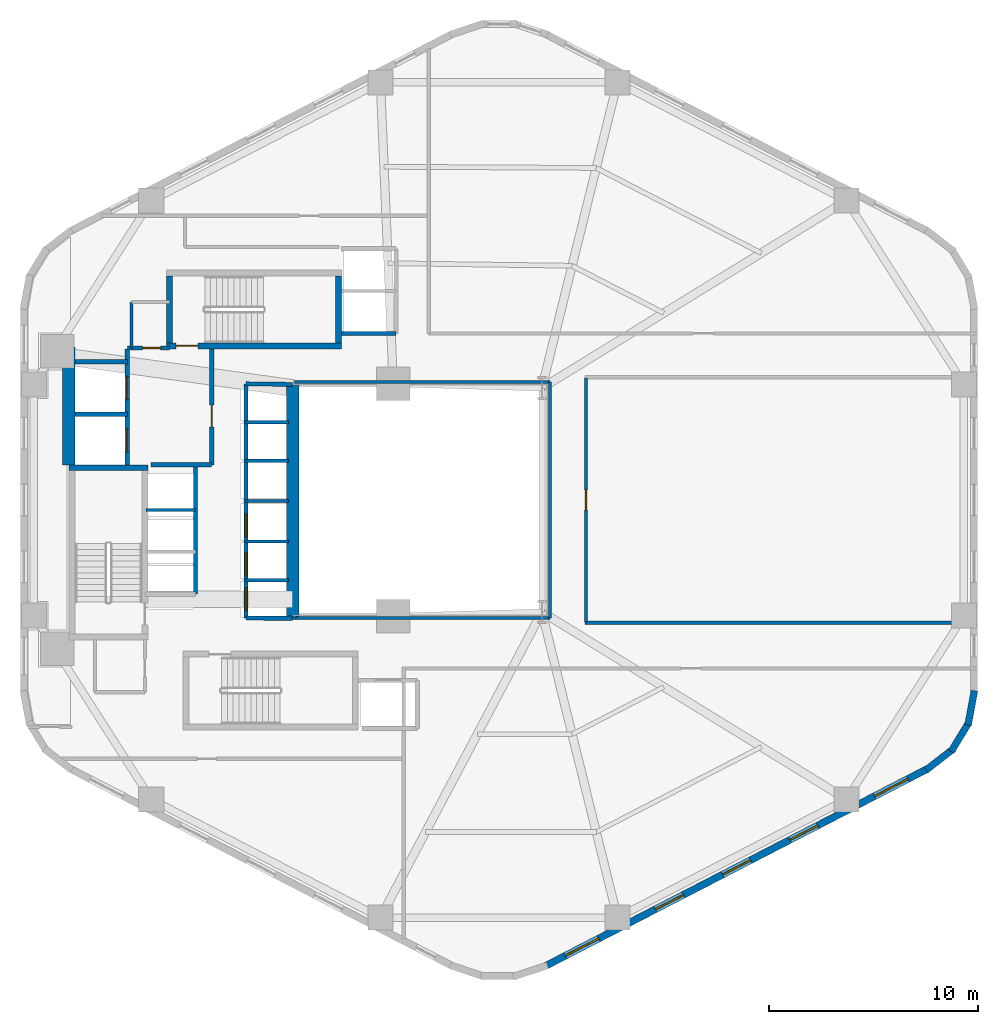
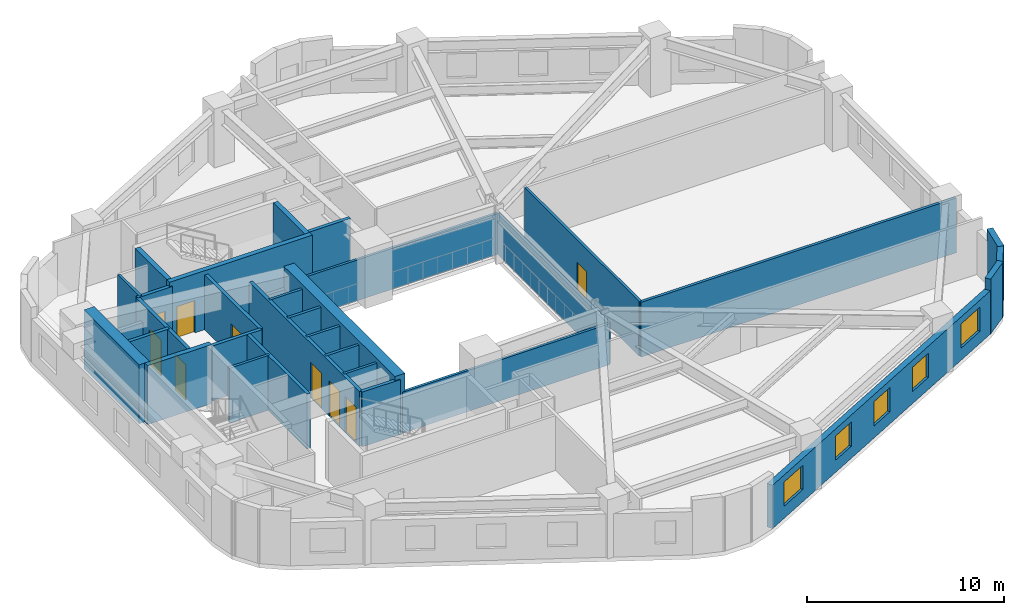
# One storey, part 3 of 6: 33 walls, 9 doors, 5 windows, 14 openings.
"""IFC4 building model written with IfcOpenShell, lengths in metres."""

import ifcopenshell
import ifcopenshell.guid

model = None  # the IFC model being written
_history = None  # IfcOwnerHistory: only IFC2X3 demands one
_inside = {}  # id of a spatial element -> (the spatial element, [elements in it])
_under = {}  # id of a project, library or spatial element -> (it, [spatial elements below it])
_declared = {}  # id of a project -> (the project, [libraries it declares])
_typed = {}  # id of a type object -> (the type object, [elements of that type])
_made_of = {}  # id of a material, layer set ... -> (it, [elements and type objects made of it])


def new_model(schema):
    """Start an empty IFC model of exactly this schema.

    Asked for "IFC4X3", IfcOpenShell would pick the latest addendum, in which some entities
    have other attributes; the version numbers below select the first issue.
    IFC2X3 requires an IfcOwnerHistory on every rooted entity: one is made here for all.
    """
    global model, _history
    if schema == "IFC4X3":
        model = ifcopenshell.file(schema_version=(4, 3, 0, 0))
    else:
        model = ifcopenshell.file(schema=schema)
    _inside.clear()
    _under.clear()
    _declared.clear()
    _typed.clear()
    _made_of.clear()
    _history = None
    if model.schema == "IFC2X3":
        org = make("IfcOrganization", Name="unknown")
        user = make(
            "IfcPersonAndOrganization",
            ThePerson=make("IfcPerson", FamilyName="unknown"),
            TheOrganization=org,
        )
        app = make(
            "IfcApplication",
            ApplicationDeveloper=org,
            Version="unknown",
            ApplicationFullName="unknown",
            ApplicationIdentifier="unknown",
        )
        _history = make(
            "IfcOwnerHistory",
            OwningUser=user,
            OwningApplication=app,
            ChangeAction="ADDED",
            CreationDate=0,
        )
    return model


def make(cls, **values):
    """One entity of the class cls with the attributes given. An attribute that is None is left unset."""
    return model.create_entity(
        cls, **{name: value for name, value in values.items() if value is not None}
    )


def rooted(cls, **values):
    """An entity with a GlobalId (a new one), such as an element, a storey or a relation."""
    return make(cls, GlobalId=ifcopenshell.guid.new(), OwnerHistory=_history, **values)


def si_unit(unit_type, name, prefix=None):
    """IfcSIUnit, for example si_unit("LENGTHUNIT", "METRE", prefix="MILLI")."""
    return make("IfcSIUnit", UnitType=unit_type, Prefix=prefix, Name=name)


def assignment(units):
    """IfcUnitAssignment: the units of a project."""
    return None if units is None else make("IfcUnitAssignment", Units=units)


def point(xyz):
    """IfcCartesianPoint."""
    return None if xyz is None else make("IfcCartesianPoint", Coordinates=xyz)


def direction(xyz):
    """IfcDirection."""
    return None if xyz is None else make("IfcDirection", DirectionRatios=xyz)


def frame(location, z_axis=None, x_axis=None):
    """IfcAxis2Placement3D, a coordinate frame: its origin and axes. An axis left out is left unset."""
    return make(
        "IfcAxis2Placement3D",
        Location=point(location),
        Axis=direction(z_axis),
        RefDirection=direction(x_axis),
    )


def frame_2d(location, x_axis=None):
    """IfcAxis2Placement2D, a coordinate frame in the plane: its origin and x axis."""
    return make(
        "IfcAxis2Placement2D", Location=point(location), RefDirection=direction(x_axis)
    )


def origin():
    """The frame at (0, 0, 0) with its axes left unset."""
    return frame((0.0, 0.0, 0.0))


def place(relative_to, where):
    """IfcLocalPlacement: puts the frame where relative to a parent placement (None: the world)."""
    return make(
        "IfcLocalPlacement", PlacementRelTo=relative_to, RelativePlacement=where
    )


def context(
    kind, dimensions, precision=None, world=None, true_north=None, identifier=None
):
    """IfcGeometricRepresentationContext, for example the 3D "Model" context."""
    return make(
        "IfcGeometricRepresentationContext",
        ContextIdentifier=identifier,
        ContextType=kind,
        CoordinateSpaceDimension=dimensions,
        Precision=precision,
        WorldCoordinateSystem=world,
        TrueNorth=true_north,
    )


def subcontext(parent, identifier, kind, view, scale=None):
    """IfcGeometricRepresentationSubContext, for example "Body" below "Model"."""
    return make(
        "IfcGeometricRepresentationSubContext",
        ContextIdentifier=identifier,
        ContextType=kind,
        ParentContext=parent,
        TargetScale=scale,
        TargetView=view,
    )


def project(units=None, contexts=None):
    """IfcProject with its units and contexts."""
    return rooted(
        "IfcProject",
        Name="project",
        RepresentationContexts=contexts,
        UnitsInContext=assignment(units),
    )


def spatial(cls, under=None, at=None, **own):
    """A site, building, storey or space (cls), placed at a placement, below another one or the project."""
    s = rooted(cls, ObjectPlacement=at, **own)
    if under is not None:
        _under.setdefault(under.id(), (under, []))[1].append(s)
    return s


def profile(cls, at=None, kind="AREA", **sizes):
    """A parametric profile (cls). Its sizes go by their IFC names, for example OverallWidth=200.0."""
    return make(cls, ProfileType=kind, Position=at, **sizes)


def rectangle(**sizes):
    """IfcRectangleProfileDef."""
    return profile("IfcRectangleProfileDef", **sizes)


def extrude(swept, where, along, depth):
    """IfcExtrudedAreaSolid: the profile swept, set in the frame where, extruded along a direction by depth."""
    return make(
        "IfcExtrudedAreaSolid",
        SweptArea=swept,
        Position=where,
        ExtrudedDirection=direction(along),
        Depth=depth,
    )


def shape(context_of_items, identifier, shape_type, items):
    """IfcShapeRepresentation: the items that make up one representation, for example the "Body"."""
    return make(
        "IfcShapeRepresentation",
        ContextOfItems=context_of_items,
        RepresentationIdentifier=identifier,
        RepresentationType=shape_type,
        Items=items,
    )


def material(Name=None, Category=None):
    """IfcMaterial."""
    return make("IfcMaterial", Name=Name, Category=Category)


def layer(
    of_material, thickness, ventilated=None, Name=None, Category=None, Priority=None
):
    """IfcMaterialLayer: one layer of a wall or slab, of a material (None: an air gap)."""
    return make(
        "IfcMaterialLayer",
        Material=of_material,
        LayerThickness=thickness,
        IsVentilated=ventilated,
        Name=Name,
        Category=Category,
        Priority=Priority,
    )


def layer_set(layers, Name=None):
    """IfcMaterialLayerSet."""
    return make("IfcMaterialLayerSet", MaterialLayers=layers, LayerSetName=Name)


def made_of(thing, what):
    """Note that an element or type object is made of a material, layer set ...; save() writes the relation."""
    if what is not None:
        _made_of.setdefault(what.id(), (what, []))[1].append(thing)
    return thing


def type_object(cls, material=None, **own):
    """A type object (cls), such as IfcWallType, which elements share."""
    return made_of(rooted(cls, **own), material)


def element(
    cls,
    number,
    at=None,
    inside=None,
    cuts=None,
    type_object=None,
    material=None,
    context=None,
    identifier="Body",
    shape_type=None,
    held_by="IfcProductDefinitionShape",
    body=None,
    shapes=None,
    **own,
):
    """One element of the class cls, such as IfcWall. Its Tag is "e" and its number.

    at: its placement. inside: the storey or other place that contains it. cuts: it is an
    opening in that element (IfcRelVoidsElement). A single representation is given by context,
    identifier, shape_type and body (its items); several are given by shapes. held_by: the class
    of the entity that holds the representations. save() writes the other relations.
    """
    e = rooted(cls, Tag="e%d" % number, ObjectPlacement=at, **own)
    if body is not None:
        shapes = [shape(context, identifier, shape_type, body)]
    if shapes is not None:
        e.Representation = make(held_by, Representations=shapes)
    if inside is not None:
        _inside.setdefault(inside.id(), (inside, []))[1].append(e)
    if cuts is not None:
        rooted(
            "IfcRelVoidsElement", RelatingBuildingElement=cuts, RelatedOpeningElement=e
        )
    if type_object is not None:
        _typed.setdefault(type_object.id(), (type_object, []))[1].append(e)
    return made_of(e, material)


def fill(opening, filler):
    """IfcRelFillsElement: the door or window that sits in an opening."""
    return rooted(
        "IfcRelFillsElement",
        RelatingOpeningElement=opening,
        RelatedBuildingElement=filler,
    )


def aggregate(whole, parts):
    """IfcRelAggregates: a whole, such as a stair, and the parts it consists of."""
    return rooted("IfcRelAggregates", RelatingObject=whole, RelatedObjects=parts)


def save(model, path):
    """Write the relations noted so far, then the file.

    IfcRelAggregates (storeys below a building ...), IfcRelContainedInSpatialStructure (elements
    in a storey), IfcRelDefinesByType, IfcRelAssociatesMaterial and IfcRelDeclares: one each for
    every whole, place, type object, material and project.
    """
    for whole, parts in _under.values():
        aggregate(whole, parts)
    for where, things in _inside.values():
        rooted(
            "IfcRelContainedInSpatialStructure",
            RelatedElements=things,
            RelatingStructure=where,
        )
    for kind, things in _typed.values():
        rooted("IfcRelDefinesByType", RelatedObjects=things, RelatingType=kind)
    for what, things in _made_of.values():
        rooted("IfcRelAssociatesMaterial", RelatedObjects=things, RelatingMaterial=what)
    for by, libraries in _declared.values():
        rooted("IfcRelDeclares", RelatingContext=by, RelatedDefinitions=libraries)
    model.write(path)


model = new_model("IFC4")

# Units and contexts
model_context = context("Model", 3, precision=1e-05, world=origin(), true_north=direction((0.0, 1.0)))
body_context = subcontext(model_context, "Body", "Model", "MODEL_VIEW")
ifc_project = project(units=[si_unit("LENGTHUNIT", "METRE"), si_unit("AREAUNIT", "SQUARE_METRE"), si_unit("VOLUMEUNIT", "CUBIC_METRE"), si_unit("PLANEANGLEUNIT", "RADIAN"), si_unit("MASSUNIT", "GRAM", prefix="KILO"), si_unit("THERMODYNAMICTEMPERATUREUNIT", "KELVIN"), si_unit("POWERUNIT", "WATT")], contexts=[model_context])

# Site, building, storey
site_placement = place(None, origin())
site = spatial("IfcSite", under=ifc_project, at=site_placement, CompositionType="ELEMENT")
building_placement = place(site_placement, origin())
building = spatial("IfcBuilding", under=site, at=building_placement, Name="Skarre Station Tower", CompositionType="ELEMENT")
storey_placement = place(building_placement, frame((0.0, 0.0, 30.64990234375)))
storey = spatial("IfcBuildingStorey", under=building, at=storey_placement, Name="L07", CompositionType="ELEMENT", Elevation=30.64990234375)

# Walls
ifc_material_1 = material(Name="Acoustic Steel-Stud Gypsum Partition", Category="steel")
ifc_layer_1 = layer(ifc_material_1, 0.14990234375, Name="Acoustic Steel-Stud Gypsum Partition")
ifc_layer_set_1 = layer_set([ifc_layer_1], Name="Acoustic Steel-Stud Gypsum Partition")
wall_type_1 = type_object("IfcWallType", Name="Fire-Rated Corridor Acoustic Partition 150", PredefinedType="PARTITIONING", material=ifc_layer_set_1)
wall_1_placement = place(storey_placement, frame((19.85009765625, 33.449951171875, 0.0), z_axis=(0.0, 0.0, 1.0), x_axis=(0.0, -1.0, 0.0)))
element("IfcWall", 1, at=wall_1_placement, inside=storey, type_object=wall_type_1, Name="L07 Interior Partition WL-PT-L07-CNW-W", PredefinedType="PARTITIONING", context=body_context, shape_type="SweptSolid", body=[
    extrude(rectangle(XDim=2.18994140625, YDim=0.14990234375, at=frame_2d((1.094970703125, 0.0))), origin(), (0.0, 0.0, 1.0), 3.39013671875),
])
wall_2_placement = place(storey_placement, frame((27.699951171875, 18.360107421875, 0.0), z_axis=(0.0, 0.0, 1.0), x_axis=(1.0, 0.0, 0.0)))
element("IfcWall", 2, at=wall_2_placement, inside=storey, type_object=wall_type_1, Name="L07 Interior Partition WL-PT-L07-ATRW-S", PredefinedType="PARTITIONING", context=body_context, shape_type="SweptSolid", body=[
    extrude(rectangle(XDim=12.14013671875, YDim=0.14990234375, at=frame_2d((6.070068359375, 0.0))), origin(), (0.0, 0.0, 1.0), 2.531005859375),
])
wall_3_placement = place(storey_placement, frame((39.840087890625, 29.639892578125, 0.0), z_axis=(0.0, 0.0, 1.0), x_axis=(-1.0, 0.0, 0.0)))
element("IfcWall", 3, at=wall_3_placement, inside=storey, type_object=wall_type_1, Name="L07 Interior Partition WL-PT-L07-ATRW-N", PredefinedType="PARTITIONING", context=body_context, shape_type="SweptSolid", body=[
    extrude(rectangle(XDim=12.2001953125, YDim=0.14990234375, at=frame_2d((6.10009765625, 0.0))), origin(), (0.0, 0.0, 1.0), 2.531005859375),
])
wall_4_placement = place(storey_placement, frame((39.840087890625, 18.360107421875, 0.0), z_axis=(0.0, 0.0, 1.0), x_axis=(0.0, 1.0, 0.0)))
element("IfcWall", 4, at=wall_4_placement, inside=storey, type_object=wall_type_1, Name="L07 Interior Partition WL-PT-L07-ATRW-E", PredefinedType="PARTITIONING", context=body_context, shape_type="SweptSolid", body=[
    extrude(rectangle(XDim=11.27978515625, YDim=0.14990234375, at=frame_2d((5.639892578125, 0.0))), origin(), (0.0, 0.0, 1.0), 2.51318359375),
])

# Wall, opening, door
wall_5_placement = place(storey_placement, frame((41.56005859375, 18.179931640625, 0.0), z_axis=(0.0, 0.0, 1.0), x_axis=(0.0, 1.0, 0.0)))
wall_5 = element("IfcWall", 5, at=wall_5_placement, inside=storey, type_object=wall_type_1, Name="L07 Interior Partition WL-PT-L07-EW1-CW", PredefinedType="PARTITIONING", context=body_context, shape_type="SweptSolid", body=[
    extrude(rectangle(XDim=11.64013671875, YDim=0.14990234375, at=frame_2d((5.820068359375, 0.0))), origin(), (0.0, 0.0, 1.0), 3.39013671875),
])
opening_1_placement = place(wall_5_placement, frame((5.340087890625, 0.0, 0.0)))
opening_1 = element("IfcOpeningElement", 6, at=opening_1_placement, cuts=wall_5, Name="Opening DR-FD60", PredefinedType="OPENING", context=body_context, shape_type="SweptSolid", body=[
    extrude(rectangle(XDim=0.9599609375, YDim=2.0, at=frame_2d((0.47998046875, 1.0))), frame((0.0, 0.0849609375, 0.0), z_axis=(0.0, -1.0, 0.0), x_axis=(1.0, 0.0, 0.0)), (0.0, 0.0, 1.0), 0.169921875),
])
ifc_material_2 = material(Name="Nordic White-Oak Veneer Solid-Core Fire Leaf", Category="wood")
door_type_1 = type_object("IfcDoorType", Name="Corridor Suite Entry Fire Door FD60 960x2150", OperationType="SINGLE_SWING_LEFT", PredefinedType="DOOR", material=ifc_material_2)
door_1_placement = place(opening_1_placement, origin())
door_1 = element("IfcDoor", 7, at=door_1_placement, inside=storey, type_object=door_type_1, Name="L07 EW1 Entry Door", OperationType="SINGLE_SWING_LEFT", OverallHeight=2.0, OverallWidth=0.9599609375, PredefinedType="DOOR", context=body_context, shape_type="SweptSolid", body=[
    extrude(rectangle(XDim=0.9599609375, YDim=2.0, at=frame_2d((0.47998046875, 1.0))), frame((0.0, 0.02490234375, 0.0), z_axis=(0.0, -1.0, 0.0), x_axis=(1.0, 0.0, 0.0)), (0.0, 0.0, 1.0), 0.050048828125),
])
fill(opening_1, door_1)

# Wall, openings, windows
ifc_material_3 = material(Name="Precast concrete C45/55", Category="concrete")
ifc_layer_2 = layer(ifc_material_3, 0.340087890625, Name="Precast concrete C45/55")
ifc_layer_set_2 = layer_set([ifc_layer_2], Name="Precast concrete C45/55")
wall_type_2 = type_object("IfcWallType", Name="Nordic Honed Precast Facet Wall 340", PredefinedType="STANDARD", material=ifc_layer_set_2)
wall_6_placement = place(storey_placement, frame((57.8759765625, 11.158935546875, 0.0), z_axis=(0.0, 0.0, 1.0), x_axis=(-0.888634413993, -0.458616264721, 0.0)))
wall_6 = element("IfcWall", 8, at=wall_6_placement, inside=storey, type_object=wall_type_2, Name="L07 Facet 4 Nordic Precast Masonry Wall", PredefinedType="STANDARD", context=body_context, shape_type="SweptSolid", body=[
    extrude(rectangle(XDim=20.53125, YDim=0.340087890625, at=frame_2d((10.265625, 0.0))), origin(), (0.0, 0.0, 1.0), 2.68408203125),
])
opening_2_placement = place(wall_6_placement, frame((1.05810546875, 0.0, 0.75)))
opening_2 = element("IfcOpeningElement", 9, at=opening_2_placement, cuts=wall_6, Name="Opening WN-Z1A", PredefinedType="OPENING", context=body_context, shape_type="SweptSolid", body=[
    extrude(rectangle(XDim=1.800048828125, YDim=1.5, at=frame_2d((0.89990234375, 0.75))), frame((0.0, 0.179931640625, 0.0), z_axis=(0.0, -1.0, 0.0), x_axis=(1.0, 0.0, 0.0)), (0.0, 0.0, 1.0), 0.360107421875),
])
opening_3_placement = place(wall_6_placement, frame((5.903076171875, 0.0, 0.75)))
opening_3 = element("IfcOpeningElement", 10, at=opening_3_placement, cuts=wall_6, Name="Opening WN-Z1B", PredefinedType="OPENING", context=body_context, shape_type="SweptSolid", body=[
    extrude(rectangle(XDim=1.5, YDim=1.5, at=frame_2d((0.75, 0.75))), frame((0.0, 0.179931640625, 0.0), z_axis=(0.0, -1.0, 0.0), x_axis=(1.0, 0.0, 0.0)), (0.0, 0.0, 1.0), 0.360107421875),
])
opening_4_placement = place(wall_6_placement, frame((9.51611328125, 0.0, 0.75)))
opening_4 = element("IfcOpeningElement", 11, at=opening_4_placement, cuts=wall_6, Name="Opening WN-Z1B", PredefinedType="OPENING", context=body_context, shape_type="SweptSolid", body=[
    extrude(rectangle(XDim=1.5, YDim=1.5, at=frame_2d((0.75, 0.75))), frame((0.0, 0.179931640625, 0.0), z_axis=(0.0, -1.0, 0.0), x_axis=(1.0, 0.0, 0.0)), (0.0, 0.0, 1.0), 0.360107421875),
])
opening_5_placement = place(wall_6_placement, frame((13.12890625, 0.0, 0.75)))
opening_5 = element("IfcOpeningElement", 12, at=opening_5_placement, cuts=wall_6, Name="Opening WN-Z1B", PredefinedType="OPENING", context=body_context, shape_type="SweptSolid", body=[
    extrude(rectangle(XDim=1.5, YDim=1.5, at=frame_2d((0.75, 0.75))), frame((0.0, 0.179931640625, 0.0), z_axis=(0.0, -1.0, 0.0), x_axis=(1.0, 0.0, 0.0)), (0.0, 0.0, 1.0), 0.360107421875),
])
opening_6_placement = place(wall_6_placement, frame((17.673095703125, 0.0, 0.75)))
opening_6 = element("IfcOpeningElement", 13, at=opening_6_placement, cuts=wall_6, Name="Opening WN-Z1A", PredefinedType="OPENING", context=body_context, shape_type="SweptSolid", body=[
    extrude(rectangle(XDim=1.800048828125, YDim=1.5, at=frame_2d((0.89990234375, 0.75))), frame((0.0, 0.179931640625, 0.0), z_axis=(0.0, -1.0, 0.0), x_axis=(1.0, 0.0, 0.0)), (0.0, 0.0, 1.0), 0.360107421875),
])
ifc_material_4 = material(Name="Low-Iron Triple Glazing with Bronze Anodized Frame", Category="glass")
window_type_1 = type_object("IfcWindowType", Name="Nordic Punched Triple-Glazed Window 1500x1500", PartitioningType="SINGLE_PANEL", PredefinedType="WINDOW", material=ifc_material_4)
window_1_placement = place(opening_3_placement, origin())
window_1 = element("IfcWindow", 14, at=window_1_placement, inside=storey, type_object=window_type_1, Name="L07 Facade Window WL-FAC-L07-F4-2", OverallHeight=1.5, OverallWidth=1.5, PartitioningType="SINGLE_PANEL", PredefinedType="WINDOW", context=body_context, shape_type="SweptSolid", body=[
    extrude(rectangle(XDim=1.5, YDim=1.5, at=frame_2d((0.75, 0.75))), frame((0.0, 0.030029296875, 0.0), z_axis=(0.0, -1.0, 0.0), x_axis=(1.0, 0.0, 0.0)), (0.0, 0.0, 1.0), 0.06005859375),
])
fill(opening_3, window_1)
window_2_placement = place(opening_4_placement, origin())
window_2 = element("IfcWindow", 15, at=window_2_placement, inside=storey, type_object=window_type_1, Name="L07 Facade Window WL-FAC-L07-F4-3", OverallHeight=1.5, OverallWidth=1.5, PartitioningType="SINGLE_PANEL", PredefinedType="WINDOW", context=body_context, shape_type="SweptSolid", body=[
    extrude(rectangle(XDim=1.5, YDim=1.5, at=frame_2d((0.75, 0.75))), frame((0.0, 0.030029296875, 0.0), z_axis=(0.0, -1.0, 0.0), x_axis=(1.0, 0.0, 0.0)), (0.0, 0.0, 1.0), 0.06005859375),
])
fill(opening_4, window_2)
window_3_placement = place(opening_5_placement, origin())
window_3 = element("IfcWindow", 16, at=window_3_placement, inside=storey, type_object=window_type_1, Name="L07 Facade Window WL-FAC-L07-F4-4", OverallHeight=1.5, OverallWidth=1.5, PartitioningType="SINGLE_PANEL", PredefinedType="WINDOW", context=body_context, shape_type="SweptSolid", body=[
    extrude(rectangle(XDim=1.5, YDim=1.5, at=frame_2d((0.75, 0.75))), frame((0.0, 0.030029296875, 0.0), z_axis=(0.0, -1.0, 0.0), x_axis=(1.0, 0.0, 0.0)), (0.0, 0.0, 1.0), 0.06005859375),
])
fill(opening_5, window_3)
window_type_2 = type_object("IfcWindowType", Name="Nordic Punched Triple-Glazed Window 1800x1500", PartitioningType="SINGLE_PANEL", PredefinedType="WINDOW", material=ifc_material_4)
window_4_placement = place(opening_2_placement, origin())
window_4 = element("IfcWindow", 17, at=window_4_placement, inside=storey, type_object=window_type_2, Name="L07 Facade Window WL-FAC-L07-F4-1", OverallHeight=1.5, OverallWidth=1.800048828125, PartitioningType="SINGLE_PANEL", PredefinedType="WINDOW", context=body_context, shape_type="SweptSolid", body=[
    extrude(rectangle(XDim=1.800048828125, YDim=1.5, at=frame_2d((0.89990234375, 0.75))), frame((0.0, 0.030029296875, 0.0), z_axis=(0.0, -1.0, 0.0), x_axis=(1.0, 0.0, 0.0)), (0.0, 0.0, 1.0), 0.06005859375),
])
fill(opening_2, window_4)
window_5_placement = place(opening_6_placement, origin())
window_5 = element("IfcWindow", 18, at=window_5_placement, inside=storey, type_object=window_type_2, Name="L07 Facade Window WL-FAC-L07-F4-5", OverallHeight=1.5, OverallWidth=1.800048828125, PartitioningType="SINGLE_PANEL", PredefinedType="WINDOW", context=body_context, shape_type="SweptSolid", body=[
    extrude(rectangle(XDim=1.800048828125, YDim=1.5, at=frame_2d((0.89990234375, 0.75))), frame((0.0, 0.030029296875, 0.0), z_axis=(0.0, -1.0, 0.0), x_axis=(1.0, 0.0, 0.0)), (0.0, 0.0, 1.0), 0.06005859375),
])
fill(opening_6, window_5)

# Walls
ifc_layer_3 = layer(ifc_material_3, 0.330078125, Name="Precast concrete C45/55")
ifc_layer_set_3 = layer_set([ifc_layer_3], Name="Precast concrete C45/55")
wall_type_3 = type_object("IfcWallType", Name="Nordic Rounded Corner Precast Wall 330", PredefinedType="STANDARD", material=ifc_layer_set_3)
wall_7_placement = place(storey_placement, frame((60.113037109375, 14.89208984375, 0.0), z_axis=(0.0, 0.0, 1.0), x_axis=(-0.181714143354, -0.983351397063, 0.0)))
element("IfcWall", 19, at=wall_7_placement, inside=storey, type_object=wall_type_3, Name="L07 Rounded Corner Precast Wall F5-1", PredefinedType="STANDARD", context=body_context, shape_type="SweptSolid", body=[
    extrude(rectangle(XDim=1.677978515625, YDim=0.330078125, at=frame_2d((0.8388671875, 0.0))), origin(), (0.0, 0.0, 1.0), 3.39013671875),
])
wall_8_placement = place(storey_placement, frame((59.875, 13.4169921875, 0.0), z_axis=(0.0, 0.0, 1.0), x_axis=(-0.520584129191, -0.853810379671, 0.0)))
element("IfcWall", 20, at=wall_8_placement, inside=storey, type_object=wall_type_3, Name="L07 Rounded Corner Precast Wall F5-2", PredefinedType="STANDARD", context=body_context, shape_type="SweptSolid", body=[
    extrude(rectangle(XDim=1.677001953125, YDim=0.330078125, at=frame_2d((0.83837890625, 0.0))), origin(), (0.0, 0.0, 1.0), 3.39013671875),
])
wall_9_placement = place(storey_placement, frame((59.126953125, 12.125, 0.0), z_axis=(0.0, 0.0, 1.0), x_axis=(-0.790691856293, -0.61221433207, 0.0)))
element("IfcWall", 21, at=wall_9_placement, inside=storey, type_object=wall_type_3, Name="L07 Rounded Corner Precast Wall F5-3", PredefinedType="STANDARD", context=body_context, shape_type="SweptSolid", body=[
    extrude(rectangle(XDim=1.67578125, YDim=0.330078125, at=frame_2d((0.837890625, 0.0))), origin(), (0.0, 0.0, 1.0), 3.39013671875),
])
ifc_material_5 = material(Name="Concrete C50/60", Category="concrete")
ifc_layer_4 = layer(ifc_material_5, 0.280029296875, Name="Concrete C50/60")
ifc_layer_set_4 = layer_set([ifc_layer_4], Name="Concrete C50/60")
wall_type_4 = type_object("IfcWallType", Name="RC Core Shear Wall 280", PredefinedType="SHEAR", material=ifc_layer_set_4)
wall_10_placement = place(storey_placement, frame((20.6298828125, 25.5400390625, 0.0), z_axis=(0.0, 0.0, 1.0), x_axis=(-1.0, 0.0, 0.0)))
element("IfcWall", 22, at=wall_10_placement, inside=storey, type_object=wall_type_4, Name="L07 Stair ST-1 North Shear Wall", PredefinedType="SHEAR", context=body_context, shape_type="SweptSolid", body=[
    extrude(rectangle(XDim=3.759765625, YDim=0.280029296875, at=frame_2d((1.8798828125, 0.0))), origin(), (0.0, 0.0, 1.0), 3.650146484375),
])

# Wall, opening, door
wall_11_placement = place(storey_placement, frame((21.52001953125, 31.360107421875, 0.0), z_axis=(0.0, 0.0, 1.0), x_axis=(1.0, 0.0, 0.0)))
wall_11 = element("IfcWall", 23, at=wall_11_placement, inside=storey, type_object=wall_type_4, Name="L07 Stair ST-3 South Shear Wall", PredefinedType="SHEAR", context=body_context, shape_type="SweptSolid", body=[
    extrude(rectangle(XDim=8.35986328125, YDim=0.280029296875, at=frame_2d((4.179931640625, 0.0))), origin(), (0.0, 0.0, 1.0), 3.650146484375),
])
opening_7_placement = place(wall_11_placement, frame((0.449951171875, 0.0, 0.0)))
opening_7 = element("IfcOpeningElement", 24, at=opening_7_placement, cuts=wall_11, Name="Opening DR-FD90", PredefinedType="OPENING", context=body_context, shape_type="SweptSolid", body=[
    extrude(rectangle(XDim=1.050048828125, YDim=2.0, at=frame_2d((0.52490234375, 1.0))), frame((0.0, 0.14990234375, 0.0), z_axis=(0.0, -1.0, 0.0), x_axis=(1.0, 0.0, 0.0)), (0.0, 0.0, 1.0), 0.300048828125),
])
ifc_material_6 = material(Name="Fire-Rated Insulated Steel Frame & Timber Core Leaf", Category="steel")
door_type_2 = type_object("IfcDoorType", Name="Stair & FSAE Lobby Fire Door FD90 1050x2150", OperationType="SINGLE_SWING_RIGHT", PredefinedType="DOOR", material=ifc_material_6)
door_2_placement = place(opening_7_placement, origin())
door_2 = element("IfcDoor", 25, at=door_2_placement, inside=storey, type_object=door_type_2, Name="L07 Stair ST-3 & FSAE Lobby Direct Exit Door", OperationType="SINGLE_SWING_LEFT", OverallHeight=2.0, OverallWidth=1.050048828125, PredefinedType="DOOR", context=body_context, shape_type="SweptSolid", body=[
    extrude(rectangle(XDim=1.050048828125, YDim=2.0, at=frame_2d((0.52490234375, 1.0))), frame((0.0, 0.02490234375, 0.0), z_axis=(0.0, -1.0, 0.0), x_axis=(1.0, 0.0, 0.0)), (0.0, 0.0, 1.0), 0.050048828125),
])
fill(opening_7, door_2)

# Walls
for number, where, z_axis, x_axis, name in (
    (26, (21.659912109375, 34.699951171875, 0.0), (0.0, 0.0, 1.0), (0.0, -1.0, 0.0), "L07 Stair ST-3 West Shear Wall"),
    (27, (29.739990234375, 31.5, 0.0), (0.0, 0.0, 1.0), (0.0, 1.0, 0.0), "L07 Stair ST-3 East Shear Wall"),
):
    element("IfcWall", number, at=place(storey_placement, frame(where, z_axis=z_axis, x_axis=x_axis)), inside=storey, type_object=wall_type_4, Name=name, PredefinedType="SHEAR", context=body_context, shape_type="SweptSolid", body=[
        extrude(rectangle(XDim=3.199951171875, YDim=0.280029296875, at=frame_2d((1.60009765625, 0.0))), origin(), (0.0, 0.0, 1.0), 3.650146484375),
    ])
ifc_material_7 = material(Name="Concrete C70/85", Category="concrete")
ifc_layer_5 = layer(ifc_material_7, 0.60009765625, Name="Concrete C70/85")
ifc_layer_set_5 = layer_set([ifc_layer_5], Name="Concrete C70/85")
wall_type_5 = type_object("IfcWallType", Name="RC Core Shear Wall 600", PredefinedType="SHEAR", material=ifc_layer_set_5)
wall_12_placement = place(storey_placement, frame((16.85009765625, 25.679931640625, 0.0), z_axis=(0.0, 0.0, 1.0), x_axis=(0.0, 1.0, 0.0)))
element("IfcWall", 28, at=wall_12_placement, inside=storey, type_object=wall_type_5, Name="L07 Core West-North Shear Wall", PredefinedType="SHEAR", context=body_context, shape_type="SweptSolid", body=[
    extrude(rectangle(XDim=5.6201171875, YDim=0.60009765625, at=frame_2d((2.81005859375, 0.0))), origin(), (0.0, 0.0, 1.0), 3.650146484375),
])
wall_13_placement = place(storey_placement, frame((27.550048828125, 29.550048828125, 0.0), z_axis=(0.0, 0.0, 1.0), x_axis=(0.0, -1.0, 0.0)))
element("IfcWall", 29, at=wall_13_placement, inside=storey, type_object=wall_type_5, Name="L07 Core East Atrium Shear Wall", PredefinedType="SHEAR", context=body_context, shape_type="SweptSolid", body=[
    extrude(rectangle(XDim=11.25, YDim=0.60009765625, at=frame_2d((5.625, 0.0))), origin(), (0.0, 0.0, 1.0), 3.650146484375),
])

# Wall, openings, doors
ifc_material_8 = material(Name="Gypsum Concrete Shaft Assembly C30/37", Category="concrete")
ifc_layer_6 = layer(ifc_material_8, 0.199951171875, Name="Gypsum Concrete Shaft Assembly C30/37")
ifc_layer_set_6 = layer_set([ifc_layer_6], Name="Gypsum Concrete Shaft Assembly C30/37")
wall_type_6 = type_object("IfcWallType", Name="Shaft & Core Fire Partition 200", PredefinedType="PARTITIONING", material=ifc_layer_set_6)
wall_14_placement = place(storey_placement, frame((19.64990234375, 25.679931640625, 0.0), z_axis=(0.0, 0.0, 1.0), x_axis=(0.0, 1.0, 0.0)))
wall_14 = element("IfcWall", 30, at=wall_14_placement, inside=storey, type_object=wall_type_6, Name="L07 Interior Partition WL-PT-L07-FSAE-W", PredefinedType="PARTITIONING", context=body_context, shape_type="SweptSolid", body=[
    extrude(rectangle(XDim=5.5400390625, YDim=0.199951171875, at=frame_2d((2.77001953125, 0.0))), origin(), (0.0, 0.0, 1.0), 3.39013671875),
])
opening_8_placement = place(wall_14_placement, frame((0.6201171875, 0.0, 0.0)))
opening_8 = element("IfcOpeningElement", 31, at=opening_8_placement, cuts=wall_14, Name="Opening LD-FF1", PredefinedType="OPENING", context=body_context, shape_type="SweptSolid", body=[
    extrude(rectangle(XDim=1.10009765625, YDim=2.199951171875, at=frame_2d((0.550048828125, 1.10009765625))), frame((0.0, 0.10986328125, 0.0), z_axis=(0.0, -1.0, 0.0), x_axis=(1.0, 0.0, 0.0)), (0.0, 0.0, 1.0), 0.219970703125),
])
opening_9_placement = place(wall_14_placement, frame((3.1201171875, 0.0, 0.0)))
opening_9 = element("IfcOpeningElement", 32, at=opening_9_placement, cuts=wall_14, Name="Opening LD-FF2", PredefinedType="OPENING", context=body_context, shape_type="SweptSolid", body=[
    extrude(rectangle(XDim=1.10009765625, YDim=2.199951171875, at=frame_2d((0.550048828125, 1.10009765625))), frame((0.0, 0.10986328125, 0.0), z_axis=(0.0, -1.0, 0.0), x_axis=(1.0, 0.0, 0.0)), (0.0, 0.0, 1.0), 0.219970703125),
])
ifc_material_9 = material(Name="Fire-Rated Stainless Steel Grade 316L Sliding Leaves", Category="steel")
door_type_3 = type_object("IfcDoorType", Name="Fire Service Access Elevator Sliding Landing Door 1100x2200", OperationType="SLIDING_TO_LEFT", PredefinedType="DOOR", material=ifc_material_9)
door_3_placement = place(opening_8_placement, origin())
door_3 = element("IfcDoor", 33, at=door_3_placement, inside=storey, type_object=door_type_3, Name="L07 Firefighting Lift LF-FF1 Landing Door", OperationType="SLIDING_TO_LEFT", OverallHeight=2.199951171875, OverallWidth=1.10009765625, PredefinedType="DOOR", context=body_context, shape_type="SweptSolid", body=[
    extrude(rectangle(XDim=1.10009765625, YDim=2.199951171875, at=frame_2d((0.550048828125, 1.10009765625))), frame((0.0, 0.02490234375, 0.0), z_axis=(0.0, -1.0, 0.0), x_axis=(1.0, 0.0, 0.0)), (0.0, 0.0, 1.0), 0.050048828125),
])
fill(opening_8, door_3)
door_4_placement = place(opening_9_placement, origin())
door_4 = element("IfcDoor", 34, at=door_4_placement, inside=storey, type_object=door_type_3, Name="L07 Firefighting Lift LF-FF2 Landing Door", OperationType="SLIDING_TO_LEFT", OverallHeight=2.199951171875, OverallWidth=1.10009765625, PredefinedType="DOOR", context=body_context, shape_type="SweptSolid", body=[
    extrude(rectangle(XDim=1.10009765625, YDim=2.199951171875, at=frame_2d((0.550048828125, 1.10009765625))), frame((0.0, 0.02490234375, 0.0), z_axis=(0.0, -1.0, 0.0), x_axis=(1.0, 0.0, 0.0)), (0.0, 0.0, 1.0), 0.050048828125),
])
fill(opening_9, door_4)

# Wall
wall_15_placement = place(storey_placement, frame((20.79296875, 25.679931640625, 0.0), z_axis=(0.0, 0.0, 1.0), x_axis=(1.0, 0.0, 0.0)))
element("IfcWall", 35, at=wall_15_placement, inside=storey, type_object=wall_type_6, Name="L07 Interior Partition WL-PT-L07-FSAE-S", PredefinedType="PARTITIONING", context=body_context, shape_type="SweptSolid", body=[
    extrude(rectangle(XDim=2.886962890625, YDim=0.199951171875, at=frame_2d((1.443359375, 0.0))), origin(), (0.0, 0.0, 1.0), 3.39013671875),
])

# Wall, opening, door
wall_16_placement = place(storey_placement, frame((23.679931640625, 25.679931640625, 0.0), z_axis=(0.0, 0.0, 1.0), x_axis=(0.0, 1.0, 0.0)))
wall_16 = element("IfcWall", 36, at=wall_16_placement, inside=storey, type_object=wall_type_6, Name="L07 Interior Partition WL-PT-L07-FSAE-E", PredefinedType="PARTITIONING", context=body_context, shape_type="SweptSolid", body=[
    extrude(rectangle(XDim=5.5400390625, YDim=0.199951171875, at=frame_2d((2.77001953125, 0.0))), origin(), (0.0, 0.0, 1.0), 3.39013671875),
])
opening_10_placement = place(wall_16_placement, frame((1.800048828125, 0.0, 0.0)))
opening_10 = element("IfcOpeningElement", 37, at=opening_10_placement, cuts=wall_16, Name="Opening DR-FD90", PredefinedType="OPENING", context=body_context, shape_type="SweptSolid", body=[
    extrude(rectangle(XDim=1.050048828125, YDim=2.0, at=frame_2d((0.52490234375, 1.0))), frame((0.0, 0.10986328125, 0.0), z_axis=(0.0, -1.0, 0.0), x_axis=(1.0, 0.0, 0.0)), (0.0, 0.0, 1.0), 0.219970703125),
])
door_5_placement = place(opening_10_placement, origin())
door_5 = element("IfcDoor", 38, at=door_5_placement, inside=storey, type_object=door_type_2, Name="L07 FSAE Lobby Fire Door", OperationType="SINGLE_SWING_RIGHT", OverallHeight=2.0, OverallWidth=1.050048828125, PredefinedType="DOOR", context=body_context, shape_type="SweptSolid", body=[
    extrude(rectangle(XDim=1.050048828125, YDim=2.0, at=frame_2d((0.52490234375, 1.0))), frame((0.0, 0.02490234375, 0.0), z_axis=(0.0, -1.0, 0.0), x_axis=(1.0, 0.0, 0.0)), (0.0, 0.0, 1.0), 0.050048828125),
])
fill(opening_10, door_5)

wall_17_placement = place(storey_placement, frame((21.659912109375, 31.260009765625, 0.0), z_axis=(0.0, 0.0, 1.0), x_axis=(-1.0, 0.0, 0.0)))
wall_17 = element("IfcWall", 39, at=wall_17_placement, inside=storey, type_object=wall_type_6, Name="L07 Interior Partition WL-PT-L07-FSAE-N", PredefinedType="PARTITIONING", context=body_context, shape_type="SweptSolid", body=[
    extrude(rectangle(XDim=2.010009765625, YDim=0.199951171875, at=frame_2d((1.0048828125, 0.0))), origin(), (0.0, 0.0, 1.0), 3.39013671875),
])
opening_11_placement = place(wall_17_placement, frame((0.419921875, 0.0, 0.0)))
opening_11 = element("IfcOpeningElement", 40, at=opening_11_placement, cuts=wall_17, Name="Opening DR-SVC86", PredefinedType="OPENING", context=body_context, shape_type="SweptSolid", body=[
    extrude(rectangle(XDim=0.860107421875, YDim=2.0, at=frame_2d((0.43017578125, 1.0))), frame((0.0, 0.10986328125, 0.0), z_axis=(0.0, -1.0, 0.0), x_axis=(1.0, 0.0, 0.0)), (0.0, 0.0, 1.0), 0.219970703125),
])
ifc_material_10 = material(Name="Powder-Coated Hollow-Metal Acoustic Fire Leaf", Category="steel")
door_type_4 = type_object("IfcDoorType", Name="Compact Riser Fire Door FD60 860x2100", OperationType="SINGLE_SWING_LEFT", PredefinedType="DOOR", material=ifc_material_10)
door_6_placement = place(opening_11_placement, origin())
door_6 = element("IfcDoor", 41, at=door_6_placement, inside=storey, type_object=door_type_4, Name="L07 Core Service Room Lobby Door", OperationType="SINGLE_SWING_LEFT", OverallHeight=2.0, OverallWidth=0.860107421875, PredefinedType="DOOR", context=body_context, shape_type="SweptSolid", body=[
    extrude(rectangle(XDim=0.860107421875, YDim=2.0, at=frame_2d((0.43017578125, 1.0))), frame((0.0, 0.02490234375, 0.0), z_axis=(0.0, -1.0, 0.0), x_axis=(1.0, 0.0, 0.0)), (0.0, 0.0, 1.0), 0.050048828125),
])
fill(opening_11, door_6)

# Walls
wall_18_placement = place(storey_placement, frame((17.14990234375, 28.10009765625, 0.0), z_axis=(0.0, 0.0, 1.0), x_axis=(1.0, 0.0, 0.0)))
element("IfcWall", 42, at=wall_18_placement, inside=storey, type_object=wall_type_6, Name="L07 Interior Partition WL-PT-L07-FF-DIV", PredefinedType="PARTITIONING", context=body_context, shape_type="SweptSolid", body=[
    extrude(rectangle(XDim=2.5, YDim=0.199951171875, at=frame_2d((1.25, 0.0))), origin(), (0.0, 0.0, 1.0), 3.39013671875),
])
wall_19_placement = place(storey_placement, frame((19.64990234375, 30.60009765625, 0.0), z_axis=(0.0, 0.0, 1.0), x_axis=(-1.0, 0.0, 0.0)))
element("IfcWall", 43, at=wall_19_placement, inside=storey, type_object=wall_type_6, Name="L07 Interior Partition WL-PT-L07-FF-N", PredefinedType="PARTITIONING", context=body_context, shape_type="SweptSolid", body=[
    extrude(rectangle(XDim=2.5, YDim=0.199951171875, at=frame_2d((1.25, 0.0))), origin(), (0.0, 0.0, 1.0), 2.2900390625),
])
wall_20_placement = place(storey_placement, frame((32.47998046875, 31.949951171875, 0.0), z_axis=(0.0, 0.0, 1.0), x_axis=(-1.0, 0.0, 0.0)))
element("IfcWall", 44, at=wall_20_placement, inside=storey, type_object=wall_type_6, Name="L07 Interior Partition WL-PT-L07-EX-S", PredefinedType="PARTITIONING", context=body_context, shape_type="SweptSolid", body=[
    extrude(rectangle(XDim=2.60009765625, YDim=0.199951171875, at=frame_2d((1.300048828125, 0.0))), origin(), (0.0, 0.0, 1.0), 3.39013671875),
])
wall_21_placement = place(storey_placement, frame((22.89990234375, 19.5, 0.0), z_axis=(0.0, 0.0, 1.0), x_axis=(0.0, 1.0, 0.0)))
element("IfcWall", 45, at=wall_21_placement, inside=storey, type_object=wall_type_6, Name="L07 Interior Partition WL-PT-L07-B3-E", PredefinedType="PARTITIONING", context=body_context, shape_type="SweptSolid", body=[
    extrude(rectangle(XDim=6.0849609375, YDim=0.199951171875, at=frame_2d((3.04248046875, 0.0))), origin(), (0.0, 0.0, 1.0), 3.39013671875),
])
wall_22_placement = place(storey_placement, frame((20.550048828125, 23.52001953125, 0.0), z_axis=(0.0, 0.0, 1.0), x_axis=(1.0, 0.0, 0.0)))
element("IfcWall", 46, at=wall_22_placement, inside=storey, type_object=wall_type_6, Name="L07 Interior Partition WL-PT-L07-B3-D2", PredefinedType="PARTITIONING", context=body_context, shape_type="SweptSolid", body=[
    extrude(rectangle(XDim=2.349853515625, YDim=0.159912109375, at=frame_2d((1.1748046875, 0.0))), origin(), (0.0, 0.0, 1.0), 3.39013671875),
])

# Wall, openings, doors
wall_23_placement = place(storey_placement, frame((25.320068359375, 29.550048828125, 0.0), z_axis=(0.0, 0.0, 1.0), x_axis=(0.0, -1.0, 0.0)))
wall_23 = element("IfcWall", 47, at=wall_23_placement, inside=storey, type_object=wall_type_6, Name="L07 Interior Partition WL-PT-L07-B12-W", PredefinedType="PARTITIONING", context=body_context, shape_type="SweptSolid", body=[
    extrude(rectangle(XDim=11.18994140625, YDim=0.199951171875, at=frame_2d((5.594970703125, 0.0))), origin(), (0.0, 0.0, 1.0), 3.39013671875),
])
opening_12_placement = place(wall_23_placement, frame((6.219970703125, 0.0, 0.0)))
opening_12 = element("IfcOpeningElement", 48, at=opening_12_placement, cuts=wall_23, Name="Opening LD-P3", PredefinedType="OPENING", context=body_context, shape_type="SweptSolid", body=[
    extrude(rectangle(XDim=1.10009765625, YDim=2.199951171875, at=frame_2d((0.550048828125, 1.10009765625))), frame((0.0, 0.10986328125, 0.0), z_axis=(0.0, -1.0, 0.0), x_axis=(1.0, 0.0, 0.0)), (0.0, 0.0, 1.0), 0.219970703125),
])
opening_13_placement = place(wall_23_placement, frame((8.070068359375, 0.0, 0.0)))
opening_13 = element("IfcOpeningElement", 49, at=opening_13_placement, cuts=wall_23, Name="Opening LD-P2", PredefinedType="OPENING", context=body_context, shape_type="SweptSolid", body=[
    extrude(rectangle(XDim=1.10009765625, YDim=2.199951171875, at=frame_2d((0.550048828125, 1.10009765625))), frame((0.0, 0.10986328125, 0.0), z_axis=(0.0, -1.0, 0.0), x_axis=(1.0, 0.0, 0.0)), (0.0, 0.0, 1.0), 0.219970703125),
])
opening_14_placement = place(wall_23_placement, frame((9.72998046875, 0.0, 0.0)))
opening_14 = element("IfcOpeningElement", 50, at=opening_14_placement, cuts=wall_23, Name="Opening LD-P1", PredefinedType="OPENING", context=body_context, shape_type="SweptSolid", body=[
    extrude(rectangle(XDim=1.10009765625, YDim=2.199951171875, at=frame_2d((0.550048828125, 1.10009765625))), frame((0.0, 0.10986328125, 0.0), z_axis=(0.0, -1.0, 0.0), x_axis=(1.0, 0.0, 0.0)), (0.0, 0.0, 1.0), 0.219970703125),
])
ifc_material_11 = material(Name="Brushed Bronze Stainless Steel Sliding Leaves", Category="steel")
door_type_5 = type_object("IfcDoorType", Name="Passenger Elevator Center-Parting Sliding Door 1100x2200", OperationType="SLIDING_TO_LEFT", PredefinedType="DOOR", material=ifc_material_11)
door_7_placement = place(opening_12_placement, origin())
door_7 = element("IfcDoor", 51, at=door_7_placement, inside=storey, type_object=door_type_5, Name="L07 Passenger Lift LF-P3 Landing Door", OperationType="SLIDING_TO_LEFT", OverallHeight=2.199951171875, OverallWidth=1.10009765625, PredefinedType="DOOR", context=body_context, shape_type="SweptSolid", body=[
    extrude(rectangle(XDim=1.10009765625, YDim=2.199951171875, at=frame_2d((0.550048828125, 1.10009765625))), frame((0.0, 0.02490234375, 0.0), z_axis=(0.0, -1.0, 0.0), x_axis=(1.0, 0.0, 0.0)), (0.0, 0.0, 1.0), 0.050048828125),
])
fill(opening_12, door_7)
door_8_placement = place(opening_13_placement, origin())
door_8 = element("IfcDoor", 52, at=door_8_placement, inside=storey, type_object=door_type_5, Name="L07 Passenger Lift LF-P2 Landing Door", OperationType="SLIDING_TO_LEFT", OverallHeight=2.199951171875, OverallWidth=1.10009765625, PredefinedType="DOOR", context=body_context, shape_type="SweptSolid", body=[
    extrude(rectangle(XDim=1.10009765625, YDim=2.199951171875, at=frame_2d((0.550048828125, 1.10009765625))), frame((0.0, 0.02490234375, 0.0), z_axis=(0.0, -1.0, 0.0), x_axis=(1.0, 0.0, 0.0)), (0.0, 0.0, 1.0), 0.050048828125),
])
fill(opening_13, door_8)
door_9_placement = place(opening_14_placement, origin())
door_9 = element("IfcDoor", 53, at=door_9_placement, inside=storey, type_object=door_type_5, Name="L07 Passenger Lift LF-P1 Landing Door", OperationType="SLIDING_TO_LEFT", OverallHeight=2.199951171875, OverallWidth=1.10009765625, PredefinedType="DOOR", context=body_context, shape_type="SweptSolid", body=[
    extrude(rectangle(XDim=1.10009765625, YDim=2.199951171875, at=frame_2d((0.550048828125, 1.10009765625))), frame((0.0, 0.02490234375, 0.0), z_axis=(0.0, -1.0, 0.0), x_axis=(1.0, 0.0, 0.0)), (0.0, 0.0, 1.0), 0.050048828125),
])
fill(opening_14, door_9)

# Walls
wall_24_placement = place(storey_placement, frame((25.320068359375, 18.360107421875, 0.0), z_axis=(0.0, 0.0, 1.0), x_axis=(0.999989925833, -0.004488678231, 0.0)))
element("IfcWall", 54, at=wall_24_placement, inside=storey, type_object=wall_type_6, Name="L07 Interior Partition WL-PT-L07-B12-S", PredefinedType="PARTITIONING", context=body_context, shape_type="SweptSolid", body=[
    extrude(rectangle(XDim=2.22998046875, YDim=0.199951171875, at=frame_2d((1.114990234375, 0.0))), origin(), (0.0, 0.0, 1.0), 3.39013671875),
])
wall_25_placement = place(storey_placement, frame((27.550048828125, 29.52001953125, 0.0), z_axis=(0.0, 0.0, 1.0), x_axis=(-0.999909343457, 0.013464949556, 0.0)))
element("IfcWall", 55, at=wall_25_placement, inside=storey, type_object=wall_type_6, Name="L07 Interior Partition WL-PT-L07-B12-N", PredefinedType="PARTITIONING", context=body_context, shape_type="SweptSolid", body=[
    extrude(rectangle(XDim=2.230224609375, YDim=0.199951171875, at=frame_2d((1.115234375, 0.0))), origin(), (0.0, 0.0, 1.0), 2.2900390625),
])
for number, where, z_axis, x_axis, name in (
    (56, (25.320068359375, 20.169921875, 0.0), (0.0, 0.0, 1.0), (1.0, 0.0, 0.0), "L07 Interior Partition WL-PT-L07-B12-D201"),
    (57, (25.320068359375, 22.02001953125, 0.0), (0.0, 0.0, 1.0), (1.0, 0.0, 0.0), "L07 Interior Partition WL-PT-L07-B12-D220"),
    (58, (25.320068359375, 23.949951171875, 0.0), (0.0, 0.0, 1.0), (1.0, 0.0, 0.0), "L07 Interior Partition WL-PT-L07-B12-D239"),
    (59, (25.320068359375, 25.8701171875, 0.0), (0.0, 0.0, 1.0), (1.0, 0.0, 0.0), "L07 Interior Partition WL-PT-L07-B12-D258"),
    (60, (25.320068359375, 27.719970703125, 0.0), (0.0, 0.0, 1.0), (1.0, 0.0, 0.0), "L07 Interior Partition WL-PT-L07-B12-D277"),
):
    element("IfcWall", number, at=place(storey_placement, frame(where, z_axis=z_axis, x_axis=x_axis)), inside=storey, type_object=wall_type_6, Name=name, PredefinedType="PARTITIONING", context=body_context, shape_type="SweptSolid", body=[
        extrude(rectangle(XDim=2.030029296875, YDim=0.159912109375, at=frame_2d((1.01513671875, 0.0))), origin(), (0.0, 0.0, 1.0), 3.39013671875),
    ])
ifc_layer_7 = layer(ifc_material_1, 0.1650390625, Name="Acoustic Steel-Stud Gypsum Partition")
ifc_layer_set_7 = layer_set([ifc_layer_7], Name="Acoustic Steel-Stud Gypsum Partition")
wall_type_7 = type_object("IfcWallType", Name="Suite Demising Acoustic Partition 165", PredefinedType="PARTITIONING", material=ifc_layer_set_7)
wall_26_placement = place(storey_placement, frame((41.52001953125, 18.139892578125, 0.0), z_axis=(0.0, 0.0, 1.0), x_axis=(1.0, 0.0, 0.0)))
element("IfcWall", 61, at=wall_26_placement, inside=storey, type_object=wall_type_7, Name="L07 Interior Partition WL-PT-L07-EWB-S", PredefinedType="PARTITIONING", context=body_context, shape_type="SweptSolid", body=[
    extrude(rectangle(XDim=18.452880859375, YDim=0.1650390625, at=frame_2d((9.2265625, 0.0))), origin(), (0.0, 0.0, 1.0), 3.39013671875),
])

save(model, "model.ifc")
